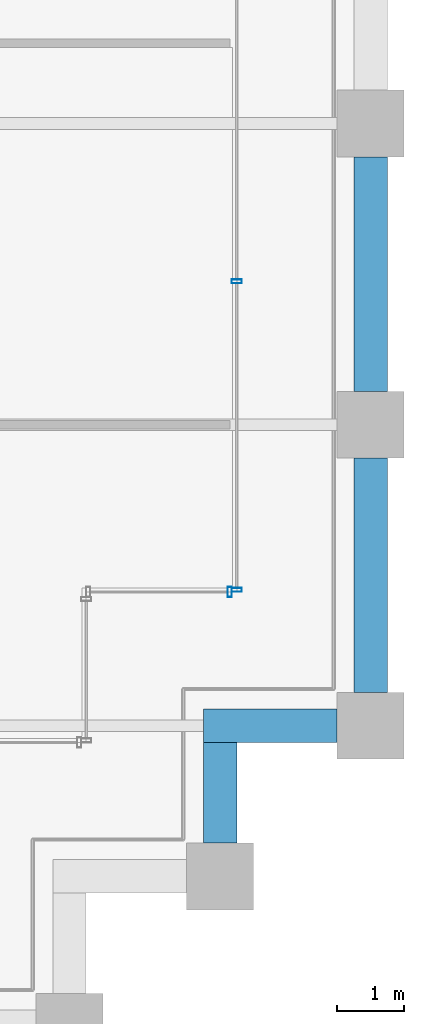
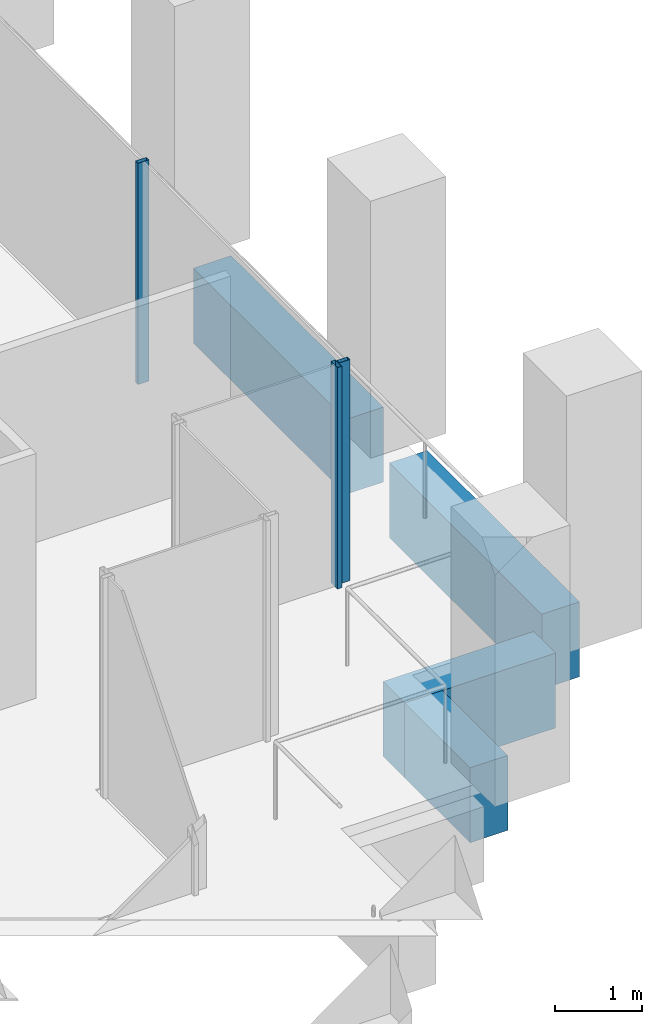
# One storey, part 37 of 47: 4 beams, 3 members, 2 elements without a shape of their own.
"""IFC4 building model written with IfcOpenShell, lengths in metres."""

import ifcopenshell
import ifcopenshell.guid

model = None  # the IFC model being written
_history = None  # IfcOwnerHistory: only IFC2X3 demands one
_inside = {}  # id of a spatial element -> (the spatial element, [elements in it])
_under = {}  # id of a project, library or spatial element -> (it, [spatial elements below it])
_declared = {}  # id of a project -> (the project, [libraries it declares])
_typed = {}  # id of a type object -> (the type object, [elements of that type])
_made_of = {}  # id of a material, layer set ... -> (it, [elements and type objects made of it])


def new_model(schema):
    """Start an empty IFC model of exactly this schema.

    Asked for "IFC4X3", IfcOpenShell would pick the latest addendum, in which some entities
    have other attributes; the version numbers below select the first issue.
    IFC2X3 requires an IfcOwnerHistory on every rooted entity: one is made here for all.
    """
    global model, _history
    if schema == "IFC4X3":
        model = ifcopenshell.file(schema_version=(4, 3, 0, 0))
    else:
        model = ifcopenshell.file(schema=schema)
    _inside.clear()
    _under.clear()
    _declared.clear()
    _typed.clear()
    _made_of.clear()
    _history = None
    if model.schema == "IFC2X3":
        org = make("IfcOrganization", Name="unknown")
        user = make(
            "IfcPersonAndOrganization",
            ThePerson=make("IfcPerson", FamilyName="unknown"),
            TheOrganization=org,
        )
        app = make(
            "IfcApplication",
            ApplicationDeveloper=org,
            Version="unknown",
            ApplicationFullName="unknown",
            ApplicationIdentifier="unknown",
        )
        _history = make(
            "IfcOwnerHistory",
            OwningUser=user,
            OwningApplication=app,
            ChangeAction="ADDED",
            CreationDate=0,
        )
    return model


def make(cls, **values):
    """One entity of the class cls with the attributes given. An attribute that is None is left unset."""
    return model.create_entity(
        cls, **{name: value for name, value in values.items() if value is not None}
    )


def rooted(cls, **values):
    """An entity with a GlobalId (a new one), such as an element, a storey or a relation."""
    return make(cls, GlobalId=ifcopenshell.guid.new(), OwnerHistory=_history, **values)


def si_unit(unit_type, name, prefix=None):
    """IfcSIUnit, for example si_unit("LENGTHUNIT", "METRE", prefix="MILLI")."""
    return make("IfcSIUnit", UnitType=unit_type, Prefix=prefix, Name=name)


def assignment(units):
    """IfcUnitAssignment: the units of a project."""
    return None if units is None else make("IfcUnitAssignment", Units=units)


def point(xyz):
    """IfcCartesianPoint."""
    return None if xyz is None else make("IfcCartesianPoint", Coordinates=xyz)


def direction(xyz):
    """IfcDirection."""
    return None if xyz is None else make("IfcDirection", DirectionRatios=xyz)


def frame(location, z_axis=None, x_axis=None):
    """IfcAxis2Placement3D, a coordinate frame: its origin and axes. An axis left out is left unset."""
    return make(
        "IfcAxis2Placement3D",
        Location=point(location),
        Axis=direction(z_axis),
        RefDirection=direction(x_axis),
    )


def frame_2d(location, x_axis=None):
    """IfcAxis2Placement2D, a coordinate frame in the plane: its origin and x axis."""
    return make(
        "IfcAxis2Placement2D", Location=point(location), RefDirection=direction(x_axis)
    )


def origin():
    """The frame at (0, 0, 0) with its axes left unset."""
    return frame((0.0, 0.0, 0.0))


def origin_2d():
    """The frame at (0, 0) in the plane with its x axis left unset."""
    return frame_2d((0.0, 0.0))


def place(relative_to, where):
    """IfcLocalPlacement: puts the frame where relative to a parent placement (None: the world)."""
    return make(
        "IfcLocalPlacement", PlacementRelTo=relative_to, RelativePlacement=where
    )


def context(
    kind, dimensions, precision=None, world=None, true_north=None, identifier=None
):
    """IfcGeometricRepresentationContext, for example the 3D "Model" context."""
    return make(
        "IfcGeometricRepresentationContext",
        ContextIdentifier=identifier,
        ContextType=kind,
        CoordinateSpaceDimension=dimensions,
        Precision=precision,
        WorldCoordinateSystem=world,
        TrueNorth=true_north,
    )


def subcontext(parent, identifier, kind, view, scale=None):
    """IfcGeometricRepresentationSubContext, for example "Body" below "Model"."""
    return make(
        "IfcGeometricRepresentationSubContext",
        ContextIdentifier=identifier,
        ContextType=kind,
        ParentContext=parent,
        TargetScale=scale,
        TargetView=view,
    )


def project(units=None, contexts=None):
    """IfcProject with its units and contexts."""
    return rooted(
        "IfcProject",
        Name="project",
        RepresentationContexts=contexts,
        UnitsInContext=assignment(units),
    )


def spatial(cls, under=None, at=None, **own):
    """A site, building, storey or space (cls), placed at a placement, below another one or the project."""
    s = rooted(cls, ObjectPlacement=at, **own)
    if under is not None:
        _under.setdefault(under.id(), (under, []))[1].append(s)
    return s


def profile(cls, at=None, kind="AREA", **sizes):
    """A parametric profile (cls). Its sizes go by their IFC names, for example OverallWidth=200.0."""
    return make(cls, ProfileType=kind, Position=at, **sizes)


def rectangle(**sizes):
    """IfcRectangleProfileDef."""
    return profile("IfcRectangleProfileDef", **sizes)


def hollow_rectangle(**sizes):
    """IfcRectangleHollowProfileDef."""
    return profile("IfcRectangleHollowProfileDef", **sizes)


def extrude(swept, where, along, depth):
    """IfcExtrudedAreaSolid: the profile swept, set in the frame where, extruded along a direction by depth."""
    return make(
        "IfcExtrudedAreaSolid",
        SweptArea=swept,
        Position=where,
        ExtrudedDirection=direction(along),
        Depth=depth,
    )


def shape(context_of_items, identifier, shape_type, items):
    """IfcShapeRepresentation: the items that make up one representation, for example the "Body"."""
    return make(
        "IfcShapeRepresentation",
        ContextOfItems=context_of_items,
        RepresentationIdentifier=identifier,
        RepresentationType=shape_type,
        Items=items,
    )


def material(Name=None, Category=None):
    """IfcMaterial."""
    return make("IfcMaterial", Name=Name, Category=Category)


def material_profile(
    of_material, cross_section, Name=None, Category=None, Priority=None
):
    """IfcMaterialProfile: a cross section and its material."""
    return make(
        "IfcMaterialProfile",
        Name=Name,
        Material=of_material,
        Profile=cross_section,
        Priority=Priority,
        Category=Category,
    )


def profile_set(profiles, Name=None, composite=None):
    """IfcMaterialProfileSet."""
    return make(
        "IfcMaterialProfileSet",
        Name=Name,
        MaterialProfiles=profiles,
        CompositeProfile=composite,
    )


def made_of(thing, what):
    """Note that an element or type object is made of a material, layer set ...; save() writes the relation."""
    if what is not None:
        _made_of.setdefault(what.id(), (what, []))[1].append(thing)
    return thing


def type_object(cls, material=None, **own):
    """A type object (cls), such as IfcWallType, which elements share."""
    return made_of(rooted(cls, **own), material)


def element(
    cls,
    number,
    at=None,
    inside=None,
    cuts=None,
    type_object=None,
    material=None,
    context=None,
    identifier="Body",
    shape_type=None,
    held_by="IfcProductDefinitionShape",
    body=None,
    shapes=None,
    **own,
):
    """One element of the class cls, such as IfcWall. Its Tag is "e" and its number.

    at: its placement. inside: the storey or other place that contains it. cuts: it is an
    opening in that element (IfcRelVoidsElement). A single representation is given by context,
    identifier, shape_type and body (its items); several are given by shapes. held_by: the class
    of the entity that holds the representations. save() writes the other relations.
    """
    e = rooted(cls, Tag="e%d" % number, ObjectPlacement=at, **own)
    if body is not None:
        shapes = [shape(context, identifier, shape_type, body)]
    if shapes is not None:
        e.Representation = make(held_by, Representations=shapes)
    if inside is not None:
        _inside.setdefault(inside.id(), (inside, []))[1].append(e)
    if cuts is not None:
        rooted(
            "IfcRelVoidsElement", RelatingBuildingElement=cuts, RelatedOpeningElement=e
        )
    if type_object is not None:
        _typed.setdefault(type_object.id(), (type_object, []))[1].append(e)
    return made_of(e, material)


def aggregate(whole, parts):
    """IfcRelAggregates: a whole, such as a stair, and the parts it consists of."""
    return rooted("IfcRelAggregates", RelatingObject=whole, RelatedObjects=parts)


def save(model, path):
    """Write the relations noted so far, then the file.

    IfcRelAggregates (storeys below a building ...), IfcRelContainedInSpatialStructure (elements
    in a storey), IfcRelDefinesByType, IfcRelAssociatesMaterial and IfcRelDeclares: one each for
    every whole, place, type object, material and project.
    """
    for whole, parts in _under.values():
        aggregate(whole, parts)
    for where, things in _inside.values():
        rooted(
            "IfcRelContainedInSpatialStructure",
            RelatedElements=things,
            RelatingStructure=where,
        )
    for kind, things in _typed.values():
        rooted("IfcRelDefinesByType", RelatedObjects=things, RelatingType=kind)
    for what, things in _made_of.values():
        rooted("IfcRelAssociatesMaterial", RelatedObjects=things, RelatingMaterial=what)
    for by, libraries in _declared.values():
        rooted("IfcRelDeclares", RelatingContext=by, RelatedDefinitions=libraries)
    model.write(path)


model = new_model("IFC4")

# Units and contexts
model_context = context("Model", 3, precision=1e-05, world=origin(), true_north=direction((0.0, 1.0)))
body_context = subcontext(model_context, "Body", "Model", "MODEL_VIEW")
ifc_project = project(units=[si_unit("LENGTHUNIT", "METRE"), si_unit("AREAUNIT", "SQUARE_METRE"), si_unit("VOLUMEUNIT", "CUBIC_METRE"), si_unit("PLANEANGLEUNIT", "RADIAN"), si_unit("MASSUNIT", "GRAM", prefix="KILO")], contexts=[model_context])

# Site, building, storey
site_placement = place(None, origin())
site = spatial("IfcSite", under=ifc_project, at=site_placement, CompositionType="ELEMENT")
building_placement = place(site_placement, origin())
building = spatial("IfcBuilding", under=site, at=building_placement, Name="Altepetl Exchange Towers", CompositionType="ELEMENT")
storey_placement = place(building_placement, frame((0.0, 0.0, 95.60009765625)))
storey = spatial("IfcBuildingStorey", under=building, at=storey_placement, Name="L23", CompositionType="ELEMENT", Elevation=95.60009765625)

# Curtain wall, member
ifc_material_1 = material(Name="Aluminium 6063-T6 glazing", Category="aluminium")
curtain_wall_type = type_object("IfcCurtainWallType", Name="Loggia glazing system", PredefinedType="NOTDEFINED", material=ifc_material_1)
curtain_wall_1_placement = place(storey_placement, origin())
curtain_wall_1 = element("IfcCurtainWall", 1, at=curtain_wall_1_placement, inside=storey, type_object=curtain_wall_type, Name="CW1 run", PredefinedType="NOTDEFINED")
ifc_material_2 = material(Name="Aluminium 6063-T6", Category="aluminium")
ifc_material_profile_1 = material_profile(ifc_material_2, hollow_rectangle(XDim=0.06005859375, YDim=0.14990234375, WallThickness=0.0029296875, at=origin_2d()), Name="Mullion 60x150 aluminium")
ifc_profile_set_1 = profile_set([ifc_material_profile_1], Name="Aluminium 6063-T6")
member_type = type_object("IfcMemberType", Name="Mullion 60x150 aluminium", PredefinedType="MULLION", material=ifc_profile_set_1)
member_1_placement = place(storey_placement, frame((123.89501953125, 33.5, 0.0)))
member_1 = element("IfcMember", 2, at=member_1_placement, type_object=member_type, Name="MU1 mullion", PredefinedType="MULLION", context=body_context, shape_type="SweptSolid", body=[
    extrude(hollow_rectangle(XDim=0.06005859375, YDim=0.14990234375, WallThickness=0.0029296875, at=origin_2d()), origin(), (0.0, 0.0, 1.0), 3.099853515625),
])
aggregate(curtain_wall_1, [member_1])

# Curtain wall, members
curtain_wall_2_placement = place(storey_placement, origin())
curtain_wall_2 = element("IfcCurtainWall", 3, at=curtain_wall_2_placement, inside=storey, type_object=curtain_wall_type, Name="CW1 run", PredefinedType="NOTDEFINED")
member_2_placement = place(storey_placement, frame((124.0, 33.530029296875, 0.0), z_axis=(0.0, 0.0, 1.0), x_axis=(0.0, 1.0, 0.0)))
member_2 = element("IfcMember", 4, at=member_2_placement, type_object=member_type, Name="MU1 mullion", PredefinedType="MULLION", context=body_context, shape_type="SweptSolid", body=[
    extrude(hollow_rectangle(XDim=0.06005859375, YDim=0.14990234375, WallThickness=0.0029296875, at=origin_2d()), origin(), (0.0, 0.0, 1.0), 3.099853515625),
])
member_3_placement = place(storey_placement, frame((124.0, 38.1416015625, 0.0), z_axis=(0.0, 0.0, 1.0), x_axis=(0.0, 1.0, 0.0)))
member_3 = element("IfcMember", 5, at=member_3_placement, type_object=member_type, Name="MU1 mullion", PredefinedType="MULLION", context=body_context, shape_type="SweptSolid", body=[
    extrude(hollow_rectangle(XDim=0.06005859375, YDim=0.14990234375, WallThickness=0.0029296875, at=origin_2d()), origin(), (0.0, 0.0, 1.0), 3.099853515625),
])
aggregate(curtain_wall_2, [member_2, member_3])

# Beams
ifc_material_3 = material(Name="Concrete C50/60 precast with cantera blanca facing", Category="concrete")
ifc_material_profile_2 = material_profile(ifc_material_3, rectangle(XDim=0.5, YDim=1.050048828125, at=origin_2d()), Name="500 x 1050")
ifc_profile_set_2 = profile_set([ifc_material_profile_2], Name="Concrete C50/60 precast with cantera blanca facing")
beam_type = type_object("IfcBeamType", Name="Spandrel beam 500x1050 cantera blanca", PredefinedType="SPANDREL", material=ifc_profile_set_2)
beam_1_placement = place(storey_placement, frame((123.75, 29.75, -0.675048828125), z_axis=(0.0, 1.0, 0.0), x_axis=(-1.0, 0.0, 0.0)))
element("IfcBeam", 6, at=beam_1_placement, inside=storey, type_object=beam_type, Name="sp:B:L23:007", PredefinedType="SPANDREL", context=body_context, shape_type="SweptSolid", body=[
    extrude(rectangle(XDim=0.5, YDim=1.050048828125, at=origin_2d()), origin(), (0.0, 0.0, 1.0), 1.5),
])
beam_2_placement = place(storey_placement, frame((123.5, 31.5, -0.675048828125), z_axis=(1.0, 0.0, 0.0), x_axis=(0.0, 1.0, 0.0)))
element("IfcBeam", 7, at=beam_2_placement, inside=storey, type_object=beam_type, Name="sp:B:L23:008", PredefinedType="SPANDREL", context=body_context, shape_type="SweptSolid", body=[
    extrude(rectangle(XDim=0.5, YDim=1.050048828125, at=origin_2d()), origin(), (0.0, 0.0, 1.0), 2.0),
])
for number, where, z_axis, x_axis, name in (
    (8, (126.0, 32.0, -0.675048828125), (0.0, 1.0, 0.0), (-1.0, 0.0, 0.0), "sp:B:L23:009"),
    (9, (126.0, 36.5, -0.675048828125), (0.0, 1.0, 0.0), (-1.0, 0.0, 0.0), "sp:B:L23:010"),
):
    element("IfcBeam", number, at=place(storey_placement, frame(where, z_axis=z_axis, x_axis=x_axis)), inside=storey, type_object=beam_type, Name=name, PredefinedType="SPANDREL", context=body_context, shape_type="SweptSolid", body=[
        extrude(rectangle(XDim=0.5, YDim=1.050048828125, at=origin_2d()), origin(), (0.0, 0.0, 1.0), 3.5),
    ])

save(model, "model.ifc")
